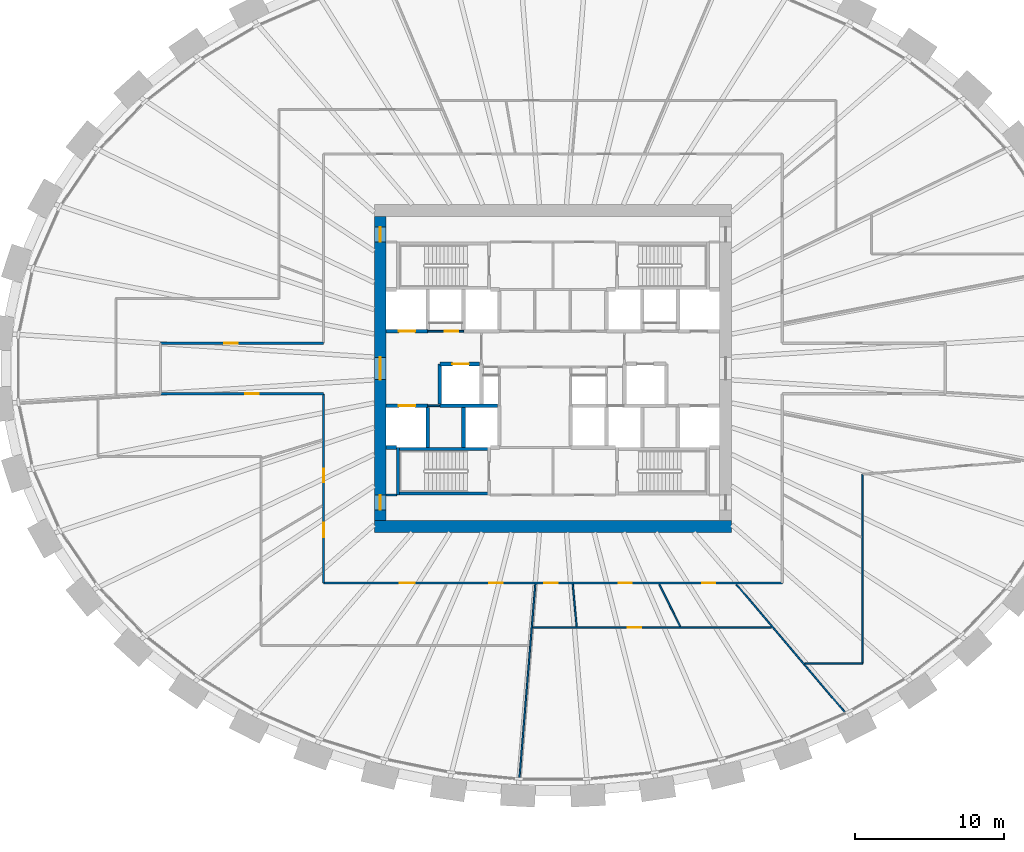
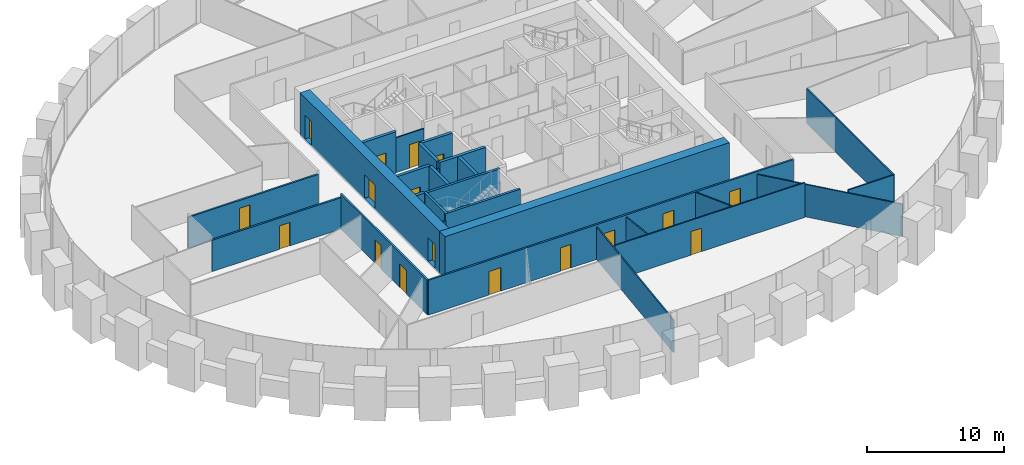
# One storey, part 6 of 10: 27 walls, 17 doors, 17 openings.
"""IFC4 building model written with IfcOpenShell, lengths in metres."""

from ifc_helpers import new_model, si_unit, direction, frame, frame_2d, origin, place, context, subcontext, project, spatial, rectangle, extrude, source, transform, mapped, material, layer, layer_set, type_object, element, fill, save


model = new_model("IFC4")

# Units and contexts
model_context = context("Model", 3, precision=1e-05, world=origin(), true_north=direction((0.0, 1.0)))
body_context = subcontext(model_context, "Body", "Model", "MODEL_VIEW")
ifc_project = project(units=[si_unit("LENGTHUNIT", "METRE"), si_unit("AREAUNIT", "SQUARE_METRE"), si_unit("VOLUMEUNIT", "CUBIC_METRE"), si_unit("PLANEANGLEUNIT", "RADIAN"), si_unit("MASSUNIT", "GRAM", prefix="KILO")], contexts=[model_context])

# Site, building, storey
site_placement = place(None, origin())
site = spatial("IfcSite", under=ifc_project, at=site_placement, CompositionType="ELEMENT")
building_placement = place(site_placement, origin())
building = spatial("IfcBuilding", under=site, at=building_placement, Name="Embergate Tower", CompositionType="ELEMENT")
storey_placement = place(building_placement, frame((0.0, 0.0, 179.39990234375)))
storey = spatial("IfcBuildingStorey", under=building, at=storey_placement, Name="L40", CompositionType="ELEMENT", Elevation=179.39990234375)

# Wall
ifc_material_1 = material(Name="Concrete C70", Category="concrete")
ifc_layer_1 = layer(ifc_material_1, 0.800048828125)
ifc_layer_set_1 = layer_set([ifc_layer_1], Name="Concrete C70")
wall_type_1 = type_object("IfcWallType", Name="Core outer wall C70 800", PredefinedType="SHEAR", material=ifc_layer_set_1)
shared_shape_1 = source(origin(), body_context, "Body", "SweptSolid", [
    extrude(rectangle(XDim=24.0, YDim=0.800048828125, at=frame_2d((12.0, 0.0))), origin(), (0.0, 0.0, 1.0), 3.900146484375),
])
wall_1_placement = place(storey_placement, frame((-12.0, -10.60009765625, -0.199951171875), z_axis=(0.0, 0.0, 1.0), x_axis=(1.0, 0.0, 0.0)))
element("IfcWall", 1, at=wall_1_placement, inside=storey, type_object=wall_type_1, Name="CW-L40-S", PredefinedType="SHEAR", context=body_context, shape_type="MappedRepresentation", body=[
    mapped(shared_shape_1, transform((0.0, 0.0, 0.0))),
])

# Wall, openings, doors
shared_shape_2 = source(origin(), body_context, "Body", "SweptSolid", [
    extrude(rectangle(XDim=20.39990234375, YDim=0.800048828125, at=frame_2d((10.199951171875, 0.0))), origin(), (0.0, 0.0, 1.0), 3.900146484375),
])
wall_2_placement = place(storey_placement, frame((-11.60009765625, -10.199951171875, -0.199951171875), z_axis=(0.0, 0.0, 1.0), x_axis=(0.0, 1.0, 0.0)))
wall_2 = element("IfcWall", 2, at=wall_2_placement, inside=storey, type_object=wall_type_1, Name="CW-L40-W", PredefinedType="SHEAR", context=body_context, shape_type="MappedRepresentation", body=[
    mapped(shared_shape_2, transform((0.0, 0.0, 0.0))),
])
shared_shape_3 = source(origin(), body_context, "Body", "SweptSolid", [
    extrude(rectangle(XDim=1.0, YDim=2.10009765625, at=frame_2d((0.5, 1.050048828125))), frame((0.0, 0.409912109375, 0.0), z_axis=(0.0, -1.0, 0.0), x_axis=(1.0, 0.0, 0.0)), (0.0, 0.0, 1.0), 0.820068359375),
])
opening_1_placement = place(wall_2_placement, frame((18.699951171875, 0.0, 0.199951171875)))
opening_1 = element("IfcOpeningElement", 3, at=opening_1_placement, cuts=wall_2, Name="Opening IF-1d", PredefinedType="OPENING", context=body_context, shape_type="MappedRepresentation", body=[
    mapped(shared_shape_3, transform((0.0, 0.0, 0.0))),
])
opening_2_placement = place(wall_2_placement, frame((0.699951171875, 0.0, 0.199951171875)))
opening_2 = element("IfcOpeningElement", 4, at=opening_2_placement, cuts=wall_2, Name="Opening IF-1d", PredefinedType="OPENING", context=body_context, shape_type="MappedRepresentation", body=[
    mapped(shared_shape_3, transform((0.0, 0.0, 0.0))),
])
shared_shape_4 = source(origin(), body_context, "Body", "SweptSolid", [
    extrude(rectangle(XDim=1.5, YDim=2.10009765625, at=frame_2d((0.75, 1.050048828125))), frame((0.0, 0.409912109375, 0.0), z_axis=(0.0, -1.0, 0.0), x_axis=(1.0, 0.0, 0.0)), (0.0, 0.0, 1.0), 0.820068359375),
])
opening_3_placement = place(wall_2_placement, frame((9.449951171875, 0.0, 0.199951171875)))
opening_3 = element("IfcOpeningElement", 5, at=opening_3_placement, cuts=wall_2, Name="Opening IF-3", PredefinedType="OPENING", context=body_context, shape_type="MappedRepresentation", body=[
    mapped(shared_shape_4, transform((0.0, 0.0, 0.0))),
])
ifc_material_2 = material(Name="Lobby fire door pair 1500")
door_type_1 = type_object("IfcDoorType", Name="Lobby fire door pair 1500", OperationType="DOUBLE_DOOR_SINGLE_SWING", PredefinedType="DOOR", material=ifc_material_2)
shared_shape_5 = source(origin(), body_context, "Body", "SweptSolid", [
    extrude(rectangle(XDim=1.5, YDim=2.10009765625, at=frame_2d((0.75, 1.050048828125))), frame((0.0, 0.02490234375, 0.0), z_axis=(0.0, -1.0, 0.0), x_axis=(1.0, 0.0, 0.0)), (0.0, 0.0, 1.0), 0.050048828125),
])
door_1_placement = place(opening_3_placement, origin())
door_1 = element("IfcDoor", 6, at=door_1_placement, inside=storey, type_object=door_type_1, Name="IF-3 door", OperationType="DOUBLE_DOOR_SINGLE_SWING", OverallHeight=2.10009765625, OverallWidth=1.5, PredefinedType="DOOR", context=body_context, shape_type="MappedRepresentation", body=[
    mapped(shared_shape_5, transform((0.0, 0.0, 0.0))),
])
fill(opening_3, door_1)
ifc_material_3 = material(Name="Escape fire door 1000")
door_type_2 = type_object("IfcDoorType", Name="Escape fire door 1000", OperationType="SINGLE_SWING_LEFT", PredefinedType="DOOR", material=ifc_material_3)
shared_shape_6 = source(origin(), body_context, "Body", "SweptSolid", [
    extrude(rectangle(XDim=1.0, YDim=2.10009765625, at=frame_2d((0.5, 1.050048828125))), frame((0.0, 0.02490234375, 0.0), z_axis=(0.0, -1.0, 0.0), x_axis=(1.0, 0.0, 0.0)), (0.0, 0.0, 1.0), 0.050048828125),
])
door_2_placement = place(opening_1_placement, origin())
door_2 = element("IfcDoor", 7, at=door_2_placement, inside=storey, type_object=door_type_2, Name="IF-1 door", OperationType="SINGLE_SWING_RIGHT", OverallHeight=2.10009765625, OverallWidth=1.0, PredefinedType="DOOR", context=body_context, shape_type="MappedRepresentation", body=[
    mapped(shared_shape_6, transform((0.0, 0.0, 0.0))),
])
fill(opening_1, door_2)
door_3_placement = place(opening_2_placement, origin())
door_3 = element("IfcDoor", 8, at=door_3_placement, inside=storey, type_object=door_type_2, Name="IF-1 door", OperationType="SINGLE_SWING_LEFT", OverallHeight=2.10009765625, OverallWidth=1.0, PredefinedType="DOOR", context=body_context, shape_type="MappedRepresentation", body=[
    mapped(shared_shape_6, transform((0.0, 0.0, 0.0))),
])
fill(opening_2, door_3)

# Wall, opening, door
ifc_material_4 = material(Name="Concrete C50", Category="concrete")
ifc_layer_2 = layer(ifc_material_4, 0.25)
ifc_layer_set_2 = layer_set([ifc_layer_2], Name="Concrete C50")
wall_type_2 = type_object("IfcWallType", Name="Hoistway wall reinforced concrete 250", PredefinedType="SHEAR", material=ifc_layer_set_2)
shared_shape_7 = source(origin(), body_context, "Body", "SweptSolid", [
    extrude(rectangle(XDim=2.675048828125, YDim=0.25, at=frame_2d((1.33740234375, 0.0))), origin(), (0.0, 0.0, 1.0), 3.7001953125),
])
wall_3_placement = place(storey_placement, frame((-4.925048828125, 0.300048828125, 0.0), z_axis=(0.0, 0.0, 1.0), x_axis=(-1.0, 0.0, 0.0)))
wall_3 = element("IfcWall", 9, at=wall_3_placement, inside=storey, type_object=wall_type_2, Name="HW-1 wall", PredefinedType="SHEAR", context=body_context, shape_type="MappedRepresentation", body=[
    mapped(shared_shape_7, transform((0.0, 0.0, 0.0))),
])
shared_shape_8 = source(origin(), body_context, "Body", "SweptSolid", [
    extrude(rectangle(XDim=1.10009765625, YDim=2.10009765625, at=frame_2d((0.550048828125, 1.050048828125))), frame((0.0, 0.135009765625, 0.0), z_axis=(0.0, -1.0, 0.0), x_axis=(1.0, 0.0, 0.0)), (0.0, 0.0, 1.0), 0.27001953125),
])
opening_4_placement = place(wall_3_placement, frame((0.72509765625, 0.0, 0.0)))
opening_4 = element("IfcOpeningElement", 10, at=opening_4_placement, cuts=wall_3, Name="Opening LD", PredefinedType="OPENING", context=body_context, shape_type="MappedRepresentation", body=[
    mapped(shared_shape_8, transform((0.0, 0.0, 0.0))),
])
ifc_material_5 = material(Name="Landing door sliding 1100")
door_type_3 = type_object("IfcDoorType", Name="Landing door sliding 1100", OperationType="SLIDING_TO_LEFT", PredefinedType="DOOR", material=ifc_material_5)
shared_shape_9 = source(origin(), body_context, "Body", "SweptSolid", [
    extrude(rectangle(XDim=1.10009765625, YDim=2.10009765625, at=frame_2d((0.550048828125, 1.050048828125))), frame((0.0, 0.02490234375, 0.0), z_axis=(0.0, -1.0, 0.0), x_axis=(1.0, 0.0, 0.0)), (0.0, 0.0, 1.0), 0.050048828125),
])
door_4_placement = place(opening_4_placement, origin())
door_4 = element("IfcDoor", 11, at=door_4_placement, inside=storey, type_object=door_type_3, Name="LD door", OperationType="SLIDING_TO_RIGHT", OverallHeight=2.10009765625, OverallWidth=1.10009765625, PredefinedType="DOOR", context=body_context, shape_type="MappedRepresentation", body=[
    mapped(shared_shape_9, transform((0.0, 0.0, 0.0))),
])
fill(opening_4, door_4)

# Walls
wall_4_placement = place(storey_placement, frame((-7.60009765625, 0.300048828125, 0.0), z_axis=(0.0, 0.0, 1.0), x_axis=(0.0, -1.0, 0.0)))
element("IfcWall", 12, at=wall_4_placement, inside=storey, type_object=wall_type_2, Name="HW-1 wall", PredefinedType="SHEAR", context=body_context, shape_type="MappedRepresentation", body=[
    mapped(shared_shape_7, transform((0.0, 0.0, 0.0))),
])
ifc_layer_3 = layer(ifc_material_4, 0.199951171875)
ifc_layer_set_3 = layer_set([ifc_layer_3], Name="Concrete C50")
wall_type_3 = type_object("IfcWallType", Name="Stair enclosure wall reinforced concrete 250", PredefinedType="SHEAR", material=ifc_layer_set_3)
shared_shape_10 = source(origin(), body_context, "Body", "SweptSolid", [
    extrude(rectangle(XDim=6.300048828125, YDim=0.199951171875, at=frame_2d((3.14990234375, 0.0))), origin(), (0.0, 0.0, 1.0), 3.7001953125),
])
for number, where, z_axis, x_axis, name in (
    (13, (-10.5, -5.39990234375, 0.0), (0.0, 0.0, 1.0), (1.0, 0.0, 0.0), "SE-1 wall"),
    (14, (-10.5, -8.39990234375, 0.0), (0.0, 0.0, 1.0), (1.0, 0.0, 0.0), "SE-1 wall"),
):
    element("IfcWall", number, at=place(storey_placement, frame(where, z_axis=z_axis, x_axis=x_axis)), inside=storey, type_object=wall_type_3, Name=name, PredefinedType="SHEAR", context=body_context, shape_type="MappedRepresentation", body=[
        mapped(shared_shape_10, transform((0.0, 0.0, 0.0))),
    ])

# Wall, opening, door
ifc_material_6 = material(Name="Core partition blockwork 120")
ifc_layer_4 = layer(ifc_material_6, 0.1201171875)
ifc_layer_set_4 = layer_set([ifc_layer_4], Name="Core partition blockwork 120")
wall_type_4 = type_object("IfcWallType", Name="Core partition blockwork 120", PredefinedType="PARTITIONING", material=ifc_layer_set_4)
shared_shape_11 = source(origin(), body_context, "Body", "SweptSolid", [
    extrude(rectangle(XDim=2.39990234375, YDim=0.1201171875, at=frame_2d((1.199951171875, 0.0))), origin(), (0.0, 0.0, 1.0), 3.10009765625),
])
wall_5_placement = place(storey_placement, frame((-8.39990234375, 2.5, 0.0), z_axis=(0.0, 0.0, 1.0), x_axis=(1.0, 0.0, 0.0)))
wall_5 = element("IfcWall", 15, at=wall_5_placement, inside=storey, type_object=wall_type_4, Name="IP-3 wall", PredefinedType="PARTITIONING", context=body_context, shape_type="MappedRepresentation", body=[
    mapped(shared_shape_11, transform((0.0, 0.0, 0.0))),
])
shared_shape_12 = source(origin(), body_context, "Body", "SweptSolid", [
    extrude(rectangle(XDim=0.89990234375, YDim=2.10009765625, at=frame_2d((0.449951171875, 1.050048828125))), frame((0.0, 0.070068359375, 0.0), z_axis=(0.0, -1.0, 0.0), x_axis=(1.0, 0.0, 0.0)), (0.0, 0.0, 1.0), 0.14013671875),
])
opening_5_placement = place(wall_5_placement, frame((1.14990234375, 0.0, 0.0)))
opening_5 = element("IfcOpeningElement", 16, at=opening_5_placement, cuts=wall_5, Name="Opening ID-1", PredefinedType="OPENING", context=body_context, shape_type="MappedRepresentation", body=[
    mapped(shared_shape_12, transform((0.0, 0.0, 0.0))),
])
ifc_material_7 = material(Name="Interior door 900")
door_type_4 = type_object("IfcDoorType", Name="Interior door 900", OperationType="SINGLE_SWING_LEFT", PredefinedType="DOOR", material=ifc_material_7)
shared_shape_13 = source(origin(), body_context, "Body", "SweptSolid", [
    extrude(rectangle(XDim=0.89990234375, YDim=2.10009765625, at=frame_2d((0.449951171875, 1.050048828125))), frame((0.0, 0.02490234375, 0.0), z_axis=(0.0, -1.0, 0.0), x_axis=(1.0, 0.0, 0.0)), (0.0, 0.0, 1.0), 0.050048828125),
])
door_5_placement = place(opening_5_placement, origin())
door_5 = element("IfcDoor", 17, at=door_5_placement, inside=storey, type_object=door_type_4, Name="ID-1 door", OperationType="SINGLE_SWING_LEFT", OverallHeight=2.10009765625, OverallWidth=0.89990234375, PredefinedType="DOOR", context=body_context, shape_type="MappedRepresentation", body=[
    mapped(shared_shape_13, transform((0.0, 0.0, 0.0))),
])
fill(opening_5, door_5)

# Walls
shared_shape_14 = source(origin(), body_context, "Body", "SweptSolid", [
    extrude(rectangle(XDim=0.7958984375, YDim=0.1201171875, at=frame_2d((0.39794921875, 0.0))), origin(), (0.0, 0.0, 1.0), 3.10009765625),
])
wall_6_placement = place(storey_placement, frame((-8.39794921875, -2.5, 0.0), z_axis=(0.0, 0.0, 1.0), x_axis=(1.0, 0.0, 0.0)))
element("IfcWall", 18, at=wall_6_placement, inside=storey, type_object=wall_type_4, Name="IP-3 wall", PredefinedType="PARTITIONING", context=body_context, shape_type="MappedRepresentation", body=[
    mapped(shared_shape_14, transform((0.0, 0.0, 0.0))),
])
shared_shape_15 = source(origin(), body_context, "Body", "SweptSolid", [
    extrude(rectangle(XDim=0.697998046875, YDim=0.1201171875, at=frame_2d((0.34912109375, 0.0))), origin(), (0.0, 0.0, 1.0), 3.10009765625),
])
wall_7_placement = place(storey_placement, frame((-10.501953125, -8.5, 0.0), z_axis=(0.0, 0.0, 1.0), x_axis=(-1.0, 0.0, 0.0)))
element("IfcWall", 19, at=wall_7_placement, inside=storey, type_object=wall_type_4, Name="IP-3 wall", PredefinedType="PARTITIONING", context=body_context, shape_type="MappedRepresentation", body=[
    mapped(shared_shape_15, transform((0.0, 0.0, 0.0))),
])

# Wall, opening, door
shared_shape_16 = source(origin(), body_context, "Body", "SweptSolid", [
    extrude(rectangle(XDim=2.800048828125, YDim=0.25, at=frame_2d((1.39990234375, 0.0))), origin(), (0.0, 0.0, 1.0), 3.7001953125),
])
wall_8_placement = place(storey_placement, frame((-11.199951171875, 2.5, 0.0), z_axis=(0.0, 0.0, 1.0), x_axis=(1.0, 0.0, 0.0)))
wall_8 = element("IfcWall", 20, at=wall_8_placement, inside=storey, type_object=wall_type_2, Name="HW-1 wall", PredefinedType="SHEAR", context=body_context, shape_type="MappedRepresentation", body=[
    mapped(shared_shape_16, transform((0.0, 0.0, 0.0))),
])
opening_6_placement = place(wall_8_placement, frame((0.85009765625, 0.0, 0.0)))
opening_6 = element("IfcOpeningElement", 21, at=opening_6_placement, cuts=wall_8, Name="Opening LD", PredefinedType="OPENING", context=body_context, shape_type="MappedRepresentation", body=[
    mapped(shared_shape_8, transform((0.0, 0.0, 0.0))),
])
door_6_placement = place(opening_6_placement, origin())
door_6 = element("IfcDoor", 22, at=door_6_placement, inside=storey, type_object=door_type_3, Name="LD door", OperationType="SLIDING_TO_LEFT", OverallHeight=2.10009765625, OverallWidth=1.10009765625, PredefinedType="DOOR", context=body_context, shape_type="MappedRepresentation", body=[
    mapped(shared_shape_9, transform((0.0, 0.0, 0.0))),
])
fill(opening_6, door_6)

wall_9_placement = place(storey_placement, frame((-8.39990234375, -2.5, 0.0), z_axis=(0.0, 0.0, 1.0), x_axis=(-1.0, 0.0, 0.0)))
wall_9 = element("IfcWall", 23, at=wall_9_placement, inside=storey, type_object=wall_type_2, Name="HW-1 wall", PredefinedType="SHEAR", context=body_context, shape_type="MappedRepresentation", body=[
    mapped(shared_shape_16, transform((0.0, 0.0, 0.0))),
])
opening_7_placement = place(wall_9_placement, frame((0.85009765625, 0.0, 0.0)))
opening_7 = element("IfcOpeningElement", 24, at=opening_7_placement, cuts=wall_9, Name="Opening LD", PredefinedType="OPENING", context=body_context, shape_type="MappedRepresentation", body=[
    mapped(shared_shape_8, transform((0.0, 0.0, 0.0))),
])
door_7_placement = place(opening_7_placement, origin())
door_7 = element("IfcDoor", 25, at=door_7_placement, inside=storey, type_object=door_type_3, Name="LD door", OperationType="SLIDING_TO_LEFT", OverallHeight=2.10009765625, OverallWidth=1.10009765625, PredefinedType="DOOR", context=body_context, shape_type="MappedRepresentation", body=[
    mapped(shared_shape_9, transform((0.0, 0.0, 0.0))),
])
fill(opening_7, door_7)

# Walls
shared_shape_17 = source(origin(), body_context, "Body", "SweptSolid", [
    extrude(rectangle(XDim=3.872802734375, YDim=0.25, at=frame_2d((1.9365234375, 0.0))), origin(), (0.0, 0.0, 1.0), 3.7001953125),
])
wall_10_placement = place(storey_placement, frame((-3.72509765625, -2.5, 0.0), z_axis=(0.0, 0.0, 1.0), x_axis=(-1.0, 0.0, 0.0)))
element("IfcWall", 26, at=wall_10_placement, inside=storey, type_object=wall_type_2, Name="HW-1 wall", PredefinedType="SHEAR", context=body_context, shape_type="MappedRepresentation", body=[
    mapped(shared_shape_17, transform((0.0, 0.0, 0.0))),
])
shared_shape_18 = source(origin(), body_context, "Body", "SweptSolid", [
    extrude(rectangle(XDim=3.196044921875, YDim=0.199951171875, at=frame_2d((1.59814453125, 0.0))), origin(), (0.0, 0.0, 1.0), 3.7001953125),
])
wall_11_placement = place(storey_placement, frame((-10.39990234375, -5.302001953125, 0.0), z_axis=(0.0, 0.0, 1.0), x_axis=(0.0, -1.0, 0.0)))
element("IfcWall", 27, at=wall_11_placement, inside=storey, type_object=wall_type_3, Name="SE-1 wall", PredefinedType="SHEAR", context=body_context, shape_type="MappedRepresentation", body=[
    mapped(shared_shape_18, transform((0.0, 0.0, 0.0))),
])
shared_shape_19 = source(origin(), body_context, "Body", "SweptSolid", [
    extrude(rectangle(XDim=0.697998046875, YDim=0.25, at=frame_2d((0.34912109375, 0.0))), origin(), (0.0, 0.0, 1.0), 3.7001953125),
])
wall_12_placement = place(storey_placement, frame((-11.199951171875, -5.300048828125, 0.0), z_axis=(0.0, 0.0, 1.0), x_axis=(1.0, 0.0, 0.0)))
element("IfcWall", 28, at=wall_12_placement, inside=storey, type_object=wall_type_2, Name="HW-1 wall", PredefinedType="SHEAR", context=body_context, shape_type="MappedRepresentation", body=[
    mapped(shared_shape_19, transform((0.0, 0.0, 0.0))),
])
shared_shape_20 = source(origin(), body_context, "Body", "SweptSolid", [
    extrude(rectangle(XDim=2.671142578125, YDim=0.25, at=frame_2d((1.33544921875, 0.0))), origin(), (0.0, 0.0, 1.0), 3.7001953125),
])
for number, where, z_axis, x_axis, name in (
    (29, (-8.39990234375, -5.298095703125, 0.0), (0.0, 0.0, 1.0), (0.0, 1.0, 0.0), "HW-1 wall"),
    (30, (-6.0, -2.626953125, 0.0), (0.0, 0.0, 1.0), (0.0, -1.0, 0.0), "HW-1 wall"),
):
    element("IfcWall", number, at=place(storey_placement, frame(where, z_axis=z_axis, x_axis=x_axis)), inside=storey, type_object=wall_type_2, Name=name, PredefinedType="SHEAR", context=body_context, shape_type="MappedRepresentation", body=[
        mapped(shared_shape_20, transform((0.0, 0.0, 0.0))),
    ])

# Wall, opening, door
ifc_material_8 = material(Name="Corridor wall dry-lined 150")
ifc_layer_5 = layer(ifc_material_8, 0.14990234375)
ifc_layer_set_5 = layer_set([ifc_layer_5], Name="Corridor wall dry-lined 150")
wall_type_5 = type_object("IfcWallType", Name="Corridor wall dry-lined 150", PredefinedType="PARTITIONING", material=ifc_layer_set_5)
shared_shape_21 = source(origin(), body_context, "Body", "SweptSolid", [
    extrude(rectangle(XDim=10.9501953125, YDim=0.14990234375, at=frame_2d((5.47509765625, 0.0))), origin(), (0.0, 0.0, 1.0), 2.800048828125),
])
wall_13_placement = place(storey_placement, frame((-15.39990234375, -1.699951171875, 0.0), z_axis=(0.0, 0.0, 1.0), x_axis=(-1.0, 0.0, 0.0)))
wall_13 = element("IfcWall", 31, at=wall_13_placement, inside=storey, type_object=wall_type_5, Name="IP-2 wall", PredefinedType="PARTITIONING", context=body_context, shape_type="MappedRepresentation", body=[
    mapped(shared_shape_21, transform((0.0, 0.0, 0.0))),
])
shared_shape_22 = source(origin(), body_context, "Body", "SweptSolid", [
    extrude(rectangle(XDim=0.89990234375, YDim=2.10009765625, at=frame_2d((0.449951171875, 1.050048828125))), frame((0.0, 0.0849609375, 0.0), z_axis=(0.0, -1.0, 0.0), x_axis=(1.0, 0.0, 0.0)), (0.0, 0.0, 1.0), 0.169921875),
])
opening_8_placement = place(wall_13_placement, frame((4.364013671875, 0.0, 0.0)))
opening_8 = element("IfcOpeningElement", 32, at=opening_8_placement, cuts=wall_13, Name="Opening IF-1c", PredefinedType="OPENING", context=body_context, shape_type="MappedRepresentation", body=[
    mapped(shared_shape_22, transform((0.0, 0.0, 0.0))),
])
ifc_material_9 = material(Name="Escape fire door 900")
door_type_5 = type_object("IfcDoorType", Name="Escape fire door 900", OperationType="SINGLE_SWING_LEFT", PredefinedType="DOOR", material=ifc_material_9)
door_8_placement = place(opening_8_placement, origin())
door_8 = element("IfcDoor", 33, at=door_8_placement, inside=storey, type_object=door_type_5, Name="IF-1 door", OperationType="SINGLE_SWING_RIGHT", OverallHeight=2.10009765625, OverallWidth=0.89990234375, PredefinedType="DOOR", context=body_context, shape_type="MappedRepresentation", body=[
    mapped(shared_shape_13, transform((0.0, 0.0, 0.0))),
])
fill(opening_8, door_8)

wall_14_placement = place(storey_placement, frame((-26.35009765625, 1.699951171875, 0.0), z_axis=(0.0, 0.0, 1.0), x_axis=(1.0, 0.0, 0.0)))
wall_14 = element("IfcWall", 34, at=wall_14_placement, inside=storey, type_object=wall_type_5, Name="IP-2 wall", PredefinedType="PARTITIONING", context=body_context, shape_type="MappedRepresentation", body=[
    mapped(shared_shape_21, transform((0.0, 0.0, 0.0))),
])
opening_9_placement = place(wall_14_placement, frame((4.26904296875, 0.0, 0.0)))
opening_9 = element("IfcOpeningElement", 35, at=opening_9_placement, cuts=wall_14, Name="Opening IF-1c", PredefinedType="OPENING", context=body_context, shape_type="MappedRepresentation", body=[
    mapped(shared_shape_22, transform((0.0, 0.0, 0.0))),
])
door_9_placement = place(opening_9_placement, origin())
door_9 = element("IfcDoor", 36, at=door_9_placement, inside=storey, type_object=door_type_5, Name="IF-1 door", OperationType="SINGLE_SWING_RIGHT", OverallHeight=2.10009765625, OverallWidth=0.89990234375, PredefinedType="DOOR", context=body_context, shape_type="MappedRepresentation", body=[
    mapped(shared_shape_13, transform((0.0, 0.0, 0.0))),
])
fill(opening_9, door_9)

# Wall
ifc_material_10 = material(Name="Partition dry-lined 100 wet")
ifc_layer_6 = layer(ifc_material_10, 0.10009765625)
ifc_layer_set_6 = layer_set([ifc_layer_6], Name="Partition dry-lined 100 wet")
wall_type_6 = type_object("IfcWallType", Name="Partition dry-lined 100 wet", PredefinedType="PLUMBINGWALL", material=ifc_layer_set_6)
shared_shape_23 = source(origin(), body_context, "Body", "SweptSolid", [
    extrude(rectangle(XDim=2.88720703125, YDim=0.10009765625, at=frame_2d((1.443603515625, 0.0))), origin(), (0.0, 0.0, 1.0), 2.900146484375),
])
wall_15_placement = place(storey_placement, frame((1.327880859375, -14.47509765625, 0.0), z_axis=(0.0, 0.0, 1.0), x_axis=(0.09149638687, -0.995805408295, 0.0)))
element("IfcWall", 37, at=wall_15_placement, inside=storey, type_object=wall_type_6, Name="IP-1 wall", PredefinedType="PLUMBINGWALL", context=body_context, shape_type="MappedRepresentation", body=[
    mapped(shared_shape_23, transform((0.0, 0.0, 0.0))),
])

# Wall, openings, doors
shared_shape_24 = source(origin(), body_context, "Body", "SweptSolid", [
    extrude(rectangle(XDim=12.699951171875, YDim=0.14990234375, at=frame_2d((6.35009765625, 0.0))), origin(), (0.0, 0.0, 1.0), 3.10009765625),
])
wall_16_placement = place(storey_placement, frame((-15.39990234375, -14.39990234375, 0.0), z_axis=(0.0, 0.0, 1.0), x_axis=(0.0, 1.0, 0.0)))
wall_16 = element("IfcWall", 38, at=wall_16_placement, inside=storey, type_object=wall_type_5, Name="IP-2 wall", PredefinedType="PARTITIONING", context=body_context, shape_type="MappedRepresentation", body=[
    mapped(shared_shape_24, transform((0.0, 0.0, 0.0))),
])
opening_10_placement = place(wall_16_placement, frame((6.760986328125, 0.0, 0.0)))
opening_10 = element("IfcOpeningElement", 39, at=opening_10_placement, cuts=wall_16, Name="Opening IF-1c", PredefinedType="OPENING", context=body_context, shape_type="MappedRepresentation", body=[
    mapped(shared_shape_22, transform((0.0, 0.0, 0.0))),
])
shared_shape_25 = source(origin(), body_context, "Body", "SweptSolid", [
    extrude(rectangle(XDim=1.0, YDim=2.10009765625, at=frame_2d((0.5, 1.050048828125))), frame((0.0, 0.0849609375, 0.0), z_axis=(0.0, -1.0, 0.0), x_axis=(1.0, 0.0, 0.0)), (0.0, 0.0, 1.0), 0.169921875),
])
opening_11_placement = place(wall_16_placement, frame((3.052978515625, 0.0, 0.0)))
opening_11 = element("IfcOpeningElement", 40, at=opening_11_placement, cuts=wall_16, Name="Opening ID-2", PredefinedType="OPENING", context=body_context, shape_type="MappedRepresentation", body=[
    mapped(shared_shape_25, transform((0.0, 0.0, 0.0))),
])
door_10_placement = place(opening_10_placement, origin())
door_10 = element("IfcDoor", 41, at=door_10_placement, inside=storey, type_object=door_type_5, Name="IF-1 door", OperationType="SINGLE_SWING_RIGHT", OverallHeight=2.10009765625, OverallWidth=0.89990234375, PredefinedType="DOOR", context=body_context, shape_type="MappedRepresentation", body=[
    mapped(shared_shape_13, transform((0.0, 0.0, 0.0))),
])
fill(opening_10, door_10)
ifc_material_11 = material(Name="Interior door 1000")
door_type_6 = type_object("IfcDoorType", Name="Interior door 1000", OperationType="SINGLE_SWING_LEFT", PredefinedType="DOOR", material=ifc_material_11)
door_11_placement = place(opening_11_placement, origin())
door_11 = element("IfcDoor", 42, at=door_11_placement, inside=storey, type_object=door_type_6, Name="ID-2 door", OperationType="SINGLE_SWING_LEFT", OverallHeight=2.10009765625, OverallWidth=1.0, PredefinedType="DOOR", context=body_context, shape_type="MappedRepresentation", body=[
    mapped(shared_shape_6, transform((0.0, 0.0, 0.0))),
])
fill(opening_11, door_11)

shared_shape_26 = source(origin(), body_context, "Body", "SweptSolid", [
    extrude(rectangle(XDim=30.7998046875, YDim=0.14990234375, at=frame_2d((15.39990234375, 0.0))), origin(), (0.0, 0.0, 1.0), 3.10009765625),
])
wall_17_placement = place(storey_placement, frame((15.39990234375, -14.39990234375, 0.0), z_axis=(0.0, 0.0, 1.0), x_axis=(-1.0, 0.0, 0.0)))
wall_17 = element("IfcWall", 43, at=wall_17_placement, inside=storey, type_object=wall_type_5, Name="IP-2 wall", PredefinedType="PARTITIONING", context=body_context, shape_type="MappedRepresentation", body=[
    mapped(shared_shape_26, transform((0.0, 0.0, 0.0))),
])
opening_12_placement = place(wall_17_placement, frame((24.68505859375, 0.0, 0.0)))
opening_12 = element("IfcOpeningElement", 44, at=opening_12_placement, cuts=wall_17, Name="Opening ID-2", PredefinedType="OPENING", context=body_context, shape_type="MappedRepresentation", body=[
    mapped(shared_shape_25, transform((0.0, 0.0, 0.0))),
])
opening_13_placement = place(wall_17_placement, frame((18.783935546875, 0.0, 0.0)))
opening_13 = element("IfcOpeningElement", 45, at=opening_13_placement, cuts=wall_17, Name="Opening IF-1c", PredefinedType="OPENING", context=body_context, shape_type="MappedRepresentation", body=[
    mapped(shared_shape_22, transform((0.0, 0.0, 0.0))),
])
opening_14_placement = place(wall_17_placement, frame((15.068115234375, 0.0, 0.0)))
opening_14 = element("IfcOpeningElement", 46, at=opening_14_placement, cuts=wall_17, Name="Opening IF-1c", PredefinedType="OPENING", context=body_context, shape_type="MappedRepresentation", body=[
    mapped(shared_shape_22, transform((0.0, 0.0, 0.0))),
])
opening_15_placement = place(wall_17_placement, frame((10.096923828125, 0.0, 0.0)))
opening_15 = element("IfcOpeningElement", 47, at=opening_15_placement, cuts=wall_17, Name="Opening IF-1c", PredefinedType="OPENING", context=body_context, shape_type="MappedRepresentation", body=[
    mapped(shared_shape_22, transform((0.0, 0.0, 0.0))),
])
opening_16_placement = place(wall_17_placement, frame((4.486083984375, 0.0, 0.0)))
opening_16 = element("IfcOpeningElement", 48, at=opening_16_placement, cuts=wall_17, Name="Opening IF-1c", PredefinedType="OPENING", context=body_context, shape_type="MappedRepresentation", body=[
    mapped(shared_shape_22, transform((0.0, 0.0, 0.0))),
])
door_12_placement = place(opening_13_placement, origin())
door_12 = element("IfcDoor", 49, at=door_12_placement, inside=storey, type_object=door_type_5, Name="IF-1 door", OperationType="SINGLE_SWING_RIGHT", OverallHeight=2.10009765625, OverallWidth=0.89990234375, PredefinedType="DOOR", context=body_context, shape_type="MappedRepresentation", body=[
    mapped(shared_shape_13, transform((0.0, 0.0, 0.0))),
])
fill(opening_13, door_12)
door_13_placement = place(opening_14_placement, origin())
door_13 = element("IfcDoor", 50, at=door_13_placement, inside=storey, type_object=door_type_5, Name="IF-1 door", OperationType="SINGLE_SWING_RIGHT", OverallHeight=2.10009765625, OverallWidth=0.89990234375, PredefinedType="DOOR", context=body_context, shape_type="MappedRepresentation", body=[
    mapped(shared_shape_13, transform((0.0, 0.0, 0.0))),
])
fill(opening_14, door_13)
door_14_placement = place(opening_15_placement, origin())
door_14 = element("IfcDoor", 51, at=door_14_placement, inside=storey, type_object=door_type_5, Name="IF-1 door", OperationType="SINGLE_SWING_LEFT", OverallHeight=2.10009765625, OverallWidth=0.89990234375, PredefinedType="DOOR", context=body_context, shape_type="MappedRepresentation", body=[
    mapped(shared_shape_13, transform((0.0, 0.0, 0.0))),
])
fill(opening_15, door_14)
door_15_placement = place(opening_16_placement, origin())
door_15 = element("IfcDoor", 52, at=door_15_placement, inside=storey, type_object=door_type_5, Name="IF-1 door", OperationType="SINGLE_SWING_LEFT", OverallHeight=2.10009765625, OverallWidth=0.89990234375, PredefinedType="DOOR", context=body_context, shape_type="MappedRepresentation", body=[
    mapped(shared_shape_13, transform((0.0, 0.0, 0.0))),
])
fill(opening_16, door_15)
door_16_placement = place(opening_12_placement, origin())
door_16 = element("IfcDoor", 53, at=door_16_placement, inside=storey, type_object=door_type_6, Name="ID-2 door", OperationType="SINGLE_SWING_RIGHT", OverallHeight=2.10009765625, OverallWidth=1.0, PredefinedType="DOOR", context=body_context, shape_type="MappedRepresentation", body=[
    mapped(shared_shape_6, transform((0.0, 0.0, 0.0))),
])
fill(opening_12, door_16)

# Wall, opening, door
shared_shape_27 = source(origin(), body_context, "Body", "SweptSolid", [
    extrude(rectangle(XDim=16.0419921875, YDim=0.10009765625, at=frame_2d((8.02099609375, 0.0))), origin(), (0.0, 0.0, 1.0), 3.10009765625),
])
wall_18_placement = place(storey_placement, frame((14.669921875, -17.39990234375, 0.0), z_axis=(0.0, 0.0, 1.0), x_axis=(-1.0, 0.0, 0.0)))
wall_18 = element("IfcWall", 54, at=wall_18_placement, inside=storey, type_object=wall_type_6, Name="IP-1 wall", PredefinedType="PLUMBINGWALL", context=body_context, shape_type="MappedRepresentation", body=[
    mapped(shared_shape_27, transform((0.0, 0.0, 0.0))),
])
shared_shape_28 = source(origin(), body_context, "Body", "SweptSolid", [
    extrude(rectangle(XDim=0.89990234375, YDim=2.10009765625, at=frame_2d((0.449951171875, 1.050048828125))), frame((0.0, 0.06005859375, 0.0), z_axis=(0.0, -1.0, 0.0), x_axis=(1.0, 0.0, 0.0)), (0.0, 0.0, 1.0), 0.1201171875),
])
opening_17_placement = place(wall_18_placement, frame((8.746826171875, 0.0, 0.0)))
opening_17 = element("IfcOpeningElement", 55, at=opening_17_placement, cuts=wall_18, Name="Opening ID-1", PredefinedType="OPENING", context=body_context, shape_type="MappedRepresentation", body=[
    mapped(shared_shape_28, transform((0.0, 0.0, 0.0))),
])
door_17_placement = place(opening_17_placement, origin())
door_17 = element("IfcDoor", 56, at=door_17_placement, inside=storey, type_object=door_type_4, Name="ID-1 door", OperationType="SINGLE_SWING_LEFT", OverallHeight=2.10009765625, OverallWidth=0.89990234375, PredefinedType="DOOR", context=body_context, shape_type="MappedRepresentation", body=[
    mapped(shared_shape_13, transform((0.0, 0.0, 0.0))),
])
fill(opening_17, door_17)

# Walls
shared_shape_29 = source(origin(), body_context, "Body", "SweptSolid", [
    extrude(rectangle(XDim=3.15625, YDim=0.10009765625, at=frame_2d((1.578125, 0.0))), origin(), (0.0, 0.0, 1.0), 3.10009765625),
])
wall_19_placement = place(storey_placement, frame((7.14892578125, -14.4970703125, 0.0), z_axis=(0.0, 0.0, 1.0), x_axis=(0.442287370256, -0.896873392465, 0.0)))
element("IfcWall", 57, at=wall_19_placement, inside=storey, type_object=wall_type_6, Name="IP-1 wall", PredefinedType="PLUMBINGWALL", context=body_context, shape_type="MappedRepresentation", body=[
    mapped(shared_shape_29, transform((0.0, 0.0, 0.0))),
])
ifc_material_12 = material(Name="Partition dry-lined 100")
ifc_layer_7 = layer(ifc_material_12, 0.10009765625)
ifc_layer_set_7 = layer_set([ifc_layer_7], Name="Partition dry-lined 100")
wall_type_7 = type_object("IfcWallType", Name="Partition dry-lined 100", PredefinedType="PARTITIONING", material=ifc_layer_set_7)
shared_shape_30 = source(origin(), body_context, "Body", "SweptSolid", [
    extrude(rectangle(XDim=3.8759765625, YDim=0.10009765625, at=frame_2d((1.93798828125, 0.0))), origin(), (0.0, 0.0, 1.0), 3.10009765625),
])
wall_20_placement = place(storey_placement, frame((16.924072265625, -19.800048828125, 0.0), z_axis=(0.0, 0.0, 1.0), x_axis=(1.0, 0.0, 0.0)))
element("IfcWall", 58, at=wall_20_placement, inside=storey, type_object=wall_type_7, Name="IP-1 wall", PredefinedType="PARTITIONING", context=body_context, shape_type="MappedRepresentation", body=[
    mapped(shared_shape_30, transform((0.0, 0.0, 0.0))),
])
shared_shape_31 = source(origin(), body_context, "Body", "SweptSolid", [
    extrude(rectangle(XDim=12.699951171875, YDim=0.10009765625, at=frame_2d((6.35009765625, 0.0))), origin(), (0.0, 0.0, 1.0), 3.10009765625),
])
wall_21_placement = place(storey_placement, frame((20.800048828125, -19.800048828125, 0.0), z_axis=(0.0, 0.0, 1.0), x_axis=(0.0, 1.0, 0.0)))
element("IfcWall", 59, at=wall_21_placement, inside=storey, type_object=wall_type_7, Name="IP-1 wall", PredefinedType="PARTITIONING", context=body_context, shape_type="MappedRepresentation", body=[
    mapped(shared_shape_31, transform((0.0, 0.0, 0.0))),
])
shared_shape_32 = source(origin(), body_context, "Body", "SweptSolid", [
    extrude(rectangle(XDim=13.12158203125, YDim=0.10009765625, at=frame_2d((6.560791015625, 0.0))), origin(), (0.0, 0.0, 1.0), 2.900146484375),
])
wall_22_placement = place(storey_placement, frame((-1.18310546875, -14.47509765625, 0.0), z_axis=(0.0, 0.0, 1.0), x_axis=(-0.08145781893, -0.996676790005, 0.0)))
element("IfcWall", 60, at=wall_22_placement, inside=storey, type_object=wall_type_6, Name="IP-1 wall", PredefinedType="PLUMBINGWALL", context=body_context, shape_type="MappedRepresentation", body=[
    mapped(shared_shape_32, transform((0.0, 0.0, 0.0))),
])
shared_shape_33 = source(origin(), body_context, "Body", "SweptSolid", [
    extrude(rectangle(XDim=11.314453125, YDim=0.10009765625, at=frame_2d((5.6572265625, 0.0))), origin(), (0.0, 0.0, 1.0), 2.900146484375),
])
wall_23_placement = place(storey_placement, frame((12.321044921875, -14.507080078125, 0.0), z_axis=(0.0, 0.0, 1.0), x_axis=(0.64731764297, -0.762220354687, 0.0)))
element("IfcWall", 61, at=wall_23_placement, inside=storey, type_object=wall_type_6, Name="IP-1 wall", PredefinedType="PLUMBINGWALL", context=body_context, shape_type="MappedRepresentation", body=[
    mapped(shared_shape_33, transform((0.0, 0.0, 0.0))),
])

save(model, "model.ifc")
